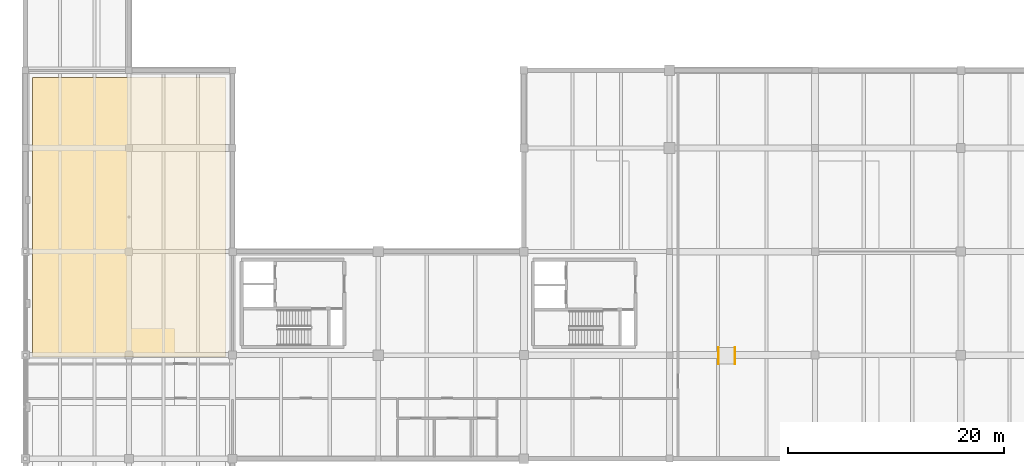
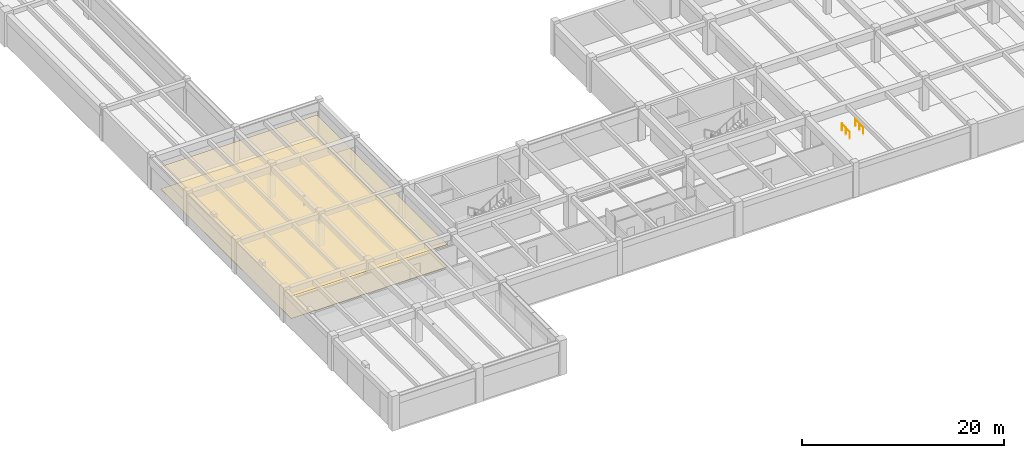
# One storey, part 23 of 28: 2 coverings, 2 railings.
"""IFC4 building model written with IfcOpenShell, lengths in metres."""

from ifc_helpers import new_model, si_unit, direction, frame, origin, origin_2d, place, context, subcontext, project, spatial, polyline, circle, outline, extrude, material, layer, layer_set, type_object, element, save


model = new_model("IFC4")

# Units and contexts
model_context = context("Model", 3, precision=1e-05, world=origin(), true_north=direction((0.0, 1.0)))
body_context = subcontext(model_context, "Body", "Model", "MODEL_VIEW")
ifc_project = project(units=[si_unit("LENGTHUNIT", "METRE"), si_unit("AREAUNIT", "SQUARE_METRE"), si_unit("VOLUMEUNIT", "CUBIC_METRE"), si_unit("PLANEANGLEUNIT", "RADIAN"), si_unit("MASSUNIT", "GRAM", prefix="KILO")], contexts=[model_context])

# Site, building, storey
site_placement = place(None, origin())
site = spatial("IfcSite", under=ifc_project, at=site_placement, CompositionType="ELEMENT")
building_placement = place(site_placement, origin())
building = spatial("IfcBuilding", under=site, at=building_placement, Name="Fikremerkos Civic Library", CompositionType="ELEMENT")
storey_placement = place(building_placement, frame((0.0, 0.0, -4.199951171875)))
storey = spatial("IfcBuildingStorey", under=building, at=storey_placement, Name="B01", CompositionType="ELEMENT", Elevation=-4.199951171875)

# Coverings
ifc_material_1 = material(Name="Perforated acoustic cedar timber", Category="wood")
ifc_layer_1 = layer(ifc_material_1, 0.02490234375, Name="Perforated acoustic cedar timber")
ifc_layer_set_1 = layer_set([ifc_layer_1], Name="Perforated acoustic cedar timber")
covering_type_1 = type_object("IfcCoveringType", Name="Acoustic perforated timber ceiling CLG-01", PredefinedType="CEILING", material=ifc_layer_set_1)
covering_1_placement = place(storey_placement, frame((0.0, 0.0, 2.7099609375)))
element("IfcCovering", 1, at=covering_1_placement, inside=storey, type_object=covering_type_1, Name="Acoustic ceiling Closed Book Stacks West", PredefinedType="CEILING", context=body_context, shape_type="SweptSolid", body=[
    extrude(outline(polyline([(0.64990234375, 21.449951171875), (0.64990234375, 47.35009765625), (18.550048828125, 47.35009765625), (18.550048828125, 21.449951171875), (0.64990234375, 21.449951171875)])), origin(), (0.0, 0.0, 1.0), 0.02490234375),
])
ifc_material_2 = material(Name="Polished basalt terrazzo", Category="masonry")
ifc_layer_2 = layer(ifc_material_2, 0.030029296875, Name="Polished basalt terrazzo")
ifc_layer_set_2 = layer_set([ifc_layer_2], Name="Polished basalt terrazzo")
covering_type_2 = type_object("IfcCoveringType", Name="Polished basalt terrazzo flooring FLR-01", PredefinedType="FLOORING", material=ifc_layer_set_2)
covering_2_placement = place(storey_placement, origin())
element("IfcCovering", 2, at=covering_2_placement, inside=storey, type_object=covering_type_2, Name="Terrazzo floor finish Closed Book Stacks West", PredefinedType="FLOORING", context=body_context, shape_type="SweptSolid", body=[
    extrude(outline(polyline([(0.64990234375, 21.449951171875), (0.64990234375, 47.35009765625), (18.550048828125, 47.35009765625), (18.550048828125, 21.449951171875), (0.64990234375, 21.449951171875)])), origin(), (0.0, 0.0, 1.0), 0.030029296875),
])

# Railings
ifc_material_3 = material(Name="Brushed stainless steel", Category="steel")
railing_type = type_object("IfcRailingType", Name="Wall and flight handrail HRL-01 900", PredefinedType="HANDRAIL", material=ifc_material_3)
for number, where, name in (
    (3, (64.22998046875, 20.800048828125, -0.10009765625), "RMP-06 accessible handrail L"),
    (4, (65.77001953125, 20.800048828125, -0.10009765625), "RMP-06 accessible handrail R"),
):
    element("IfcRailing", number, at=place(storey_placement, frame(where)), inside=storey, type_object=railing_type, Name=name, PredefinedType="HANDRAIL", context=body_context, shape_type="SweptSolid", body=[
        extrude(circle(Radius=0.02392578125, at=origin_2d()), frame((0.0, 0.0, 0.8759765625), z_axis=(0.0, 0.997780844277, 0.066583682642), x_axis=(-1.0, 0.0, 0.0)), (0.0, 0.0, 1.0), 1.50341796875),
        extrude(circle(Radius=0.02099609375, at=origin_2d()), origin(), (0.0, 0.0, 1.0), 0.851806640625),
        extrude(circle(Radius=0.02099609375, at=origin_2d()), frame((0.0, 0.75, 0.050048828125)), (0.0, 0.0, 1.0), 0.851806640625),
        extrude(circle(Radius=0.02099609375, at=origin_2d()), frame((0.0, 1.5, 0.10009765625)), (0.0, 0.0, 1.0), 0.851806640625),
    ])

save(model, "model.ifc")
